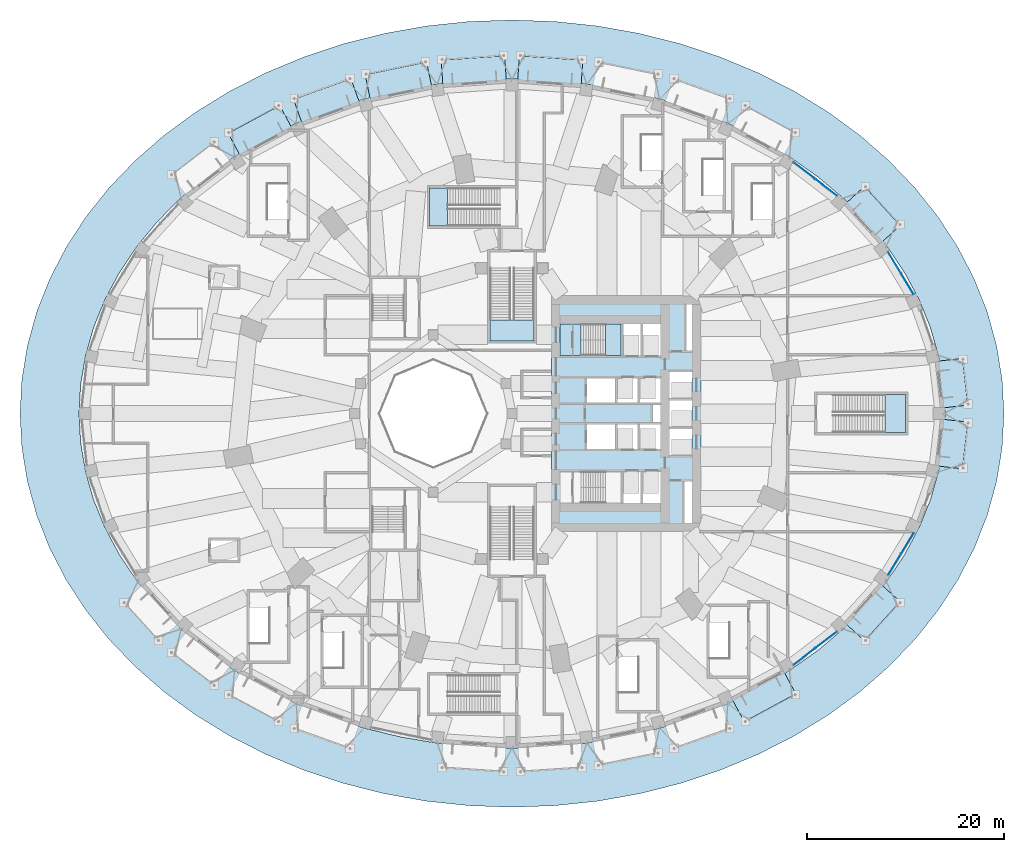
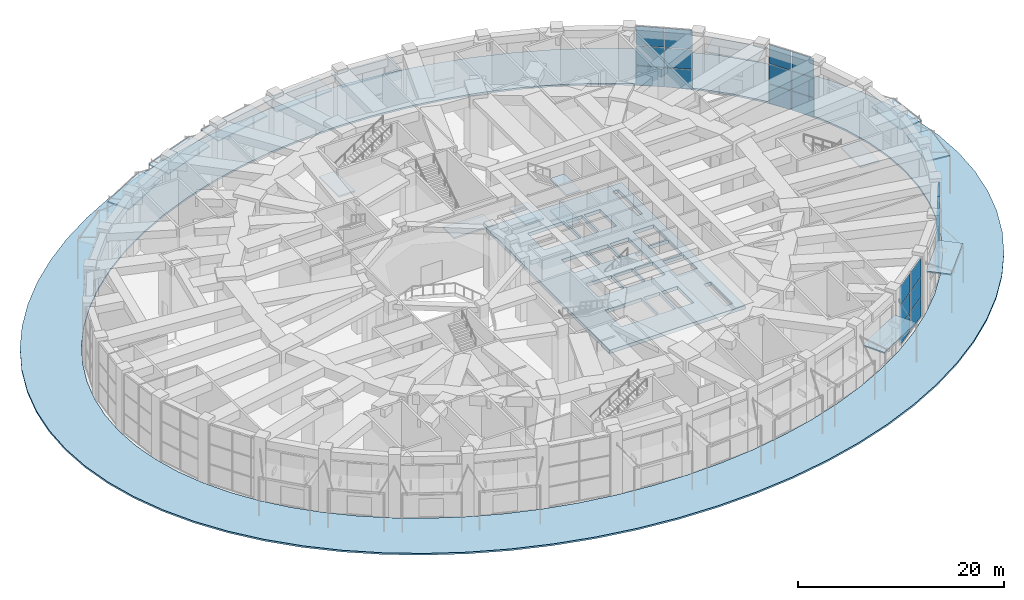
# One storey, part 32 of 60: 24 plates, 18 slabs, 8 elements without a shape of their own.
"""IFC4 building model written with IfcOpenShell, lengths in metres."""

from ifc_helpers import new_model, si_unit, direction, frame, origin, origin_2d, place, context, subcontext, project, spatial, polyline, rectangle, outline, extrude, material, layer, layer_set, constituent, constituent_set, type_object, element, aggregate, save


model = new_model("IFC4")

# Units and contexts
model_context = context("Model", 3, precision=1e-05, world=origin(), true_north=direction((0.0, 1.0)))
body_context = subcontext(model_context, "Body", "Model", "MODEL_VIEW")
ifc_project = project(units=[si_unit("LENGTHUNIT", "METRE"), si_unit("AREAUNIT", "SQUARE_METRE"), si_unit("VOLUMEUNIT", "CUBIC_METRE"), si_unit("PLANEANGLEUNIT", "RADIAN"), si_unit("MASSUNIT", "GRAM", prefix="KILO")], contexts=[model_context])

# Site, building, storey
site_placement = place(None, origin())
site = spatial("IfcSite", under=ifc_project, at=site_placement, CompositionType="ELEMENT")
building_placement = place(site_placement, origin())
building = spatial("IfcBuilding", under=site, at=building_placement, Name="Taillehof Tower", CompositionType="ELEMENT")
storey_placement = place(building_placement, origin())
storey = spatial("IfcBuildingStorey", under=building, at=storey_placement, Name="L00", CompositionType="ELEMENT", Elevation=0.0)

# Slabs
ifc_material_1 = material(Name="Concrete C40/50", Category="concrete")
ifc_layer_1 = layer(ifc_material_1, 0.409912109375)
ifc_layer_set_1 = layer_set([ifc_layer_1], Name="Core floor slab C40/50 410")
slab_type_1 = type_object("IfcSlabType", Name="Core floor slab C40/50 410", PredefinedType="FLOOR", material=ifc_layer_set_1)
slab_1_placement = place(storey_placement, frame((0.0, 0.0, -0.409912109375)))
element("IfcSlab", 1, at=slab_1_placement, inside=storey, type_object=slab_type_1, Name="Core floor L00", PredefinedType="FLOOR", context=body_context, shape_type="SweptSolid", body=[
    extrude(outline(polyline([(4.0, -12.0), (4.0, 12.0), (19.199951171875, 12.0), (19.199951171875, -12.0), (4.0, -12.0)]), holes=[polyline([(7.00048828125, -9.10009765625), (11.10009765625, -9.10009765625), (11.10009765625, -5.89990234375), (7.00048828125, -5.89990234375), (7.00048828125, -9.10009765625)]), polyline([(13.10009765625, -9.10009765625), (13.10009765625, -5.89990234375), (11.300048828125, -5.89990234375), (11.300048828125, -9.10009765625), (13.10009765625, -9.10009765625)]), polyline([(10.5, -3.60009765625), (10.5, -1.10009765625), (7.60009765625, -1.10009765625), (7.60009765625, -3.60009765625), (10.5, -3.60009765625)]), polyline([(12.800048828125, -3.60009765625), (12.800048828125, -1.10009765625), (10.699951171875, -1.10009765625), (10.699951171875, -3.60009765625), (12.800048828125, -3.60009765625)]), polyline([(10.5, 1.10009765625), (10.5, 3.60009765625), (7.60009765625, 3.60009765625), (7.60009765625, 1.10009765625), (10.5, 1.10009765625)]), polyline([(12.800048828125, 1.10009765625), (12.800048828125, 3.60009765625), (10.699951171875, 3.60009765625), (10.699951171875, 1.10009765625), (12.800048828125, 1.10009765625)]), polyline([(15.10009765625, 1.10009765625), (15.10009765625, 3.60009765625), (13.0, 3.60009765625), (13.0, 1.10009765625), (15.10009765625, 1.10009765625)]), polyline([(11.300048828125, 5.89990234375), (13.10009765625, 5.89990234375), (13.10009765625, 9.10009765625), (11.300048828125, 9.10009765625), (11.300048828125, 5.89990234375)]), polyline([(7.00048828125, 5.89990234375), (11.10009765625, 5.89990234375), (11.10009765625, 9.10009765625), (7.00048828125, 9.10009765625), (7.00048828125, 5.89990234375)]), polyline([(18.300048828125, -11.10009765625), (18.300048828125, -6.89990234375), (17.5, -6.89990234375), (17.5, -11.10009765625), (18.300048828125, -11.10009765625)]), polyline([(15.10009765625, -9.10009765625), (15.10009765625, -5.89990234375), (13.300048828125, -5.89990234375), (13.300048828125, -9.10009765625), (15.10009765625, -9.10009765625)]), polyline([(18.300048828125, -4.25), (18.300048828125, -1.550048828125), (16.0, -1.550048828125), (16.0, -4.25), (18.300048828125, -4.25)]), polyline([(15.10009765625, -3.60009765625), (15.10009765625, -1.10009765625), (13.0, -1.10009765625), (13.0, -3.60009765625), (15.10009765625, -3.60009765625)]), polyline([(15.10009765625, -0.89990234375), (15.10009765625, 0.89990234375), (14.300048828125, 0.89990234375), (14.300048828125, -0.89990234375), (15.10009765625, -0.89990234375)]), polyline([(18.300048828125, -1.35009765625), (18.300048828125, 1.35009765625), (16.0, 1.35009765625), (16.0, -1.35009765625), (18.300048828125, -1.35009765625)]), polyline([(18.300048828125, 1.550048828125), (18.300048828125, 4.25), (16.0, 4.25), (16.0, 1.550048828125), (18.300048828125, 1.550048828125)]), polyline([(13.300048828125, 5.89990234375), (15.10009765625, 5.89990234375), (15.10009765625, 9.10009765625), (13.300048828125, 9.10009765625), (13.300048828125, 5.89990234375)]), polyline([(17.699951171875, 6.39990234375), (18.300048828125, 6.39990234375), (18.300048828125, 11.10009765625), (17.699951171875, 11.10009765625), (17.699951171875, 6.39990234375)])]), origin(), (0.0, 0.0, 1.0), 0.409912109375),
])
ifc_material_2 = material(Name="Steel S460M", Category="steel")
ifc_constituent_1 = constituent(ifc_material_2, Name="Plate", Category="steel")
ifc_material_3 = material(Name="Aluminium soffit", Category="aluminium")
ifc_constituent_2 = constituent(ifc_material_3, Name="Soffit", Category="aluminium")
ifc_constituent_set_1 = constituent_set(constituents=[ifc_constituent_1, ifc_constituent_2], Name="Entrance canopy 150")
slab_type_2 = type_object("IfcSlabType", Name="Entrance canopy 150", PredefinedType="ROOF", material=ifc_constituent_set_1)
slab_2_placement = place(storey_placement, frame((0.0, 0.0, 4.449951171875)))
element("IfcSlab", 2, at=slab_2_placement, inside=storey, type_object=slab_type_2, Name="Canopy over E18", PredefinedType="ROOF", context=body_context, shape_type="SweptSolid", body=[
    extrude(outline(polyline([(43.833251953125, 0.58154296875), (43.293701171875, 5.329833984375), (45.777587890625, 5.612060546875), (46.3173828125, 0.86376953125), (43.833251953125, 0.58154296875)])), origin(), (0.0, 0.0, 1.0), 0.150146484375),
])
slab_3_placement = place(storey_placement, frame((0.0, 0.0, 4.449951171875)))
element("IfcSlab", 3, at=slab_3_placement, inside=storey, type_object=slab_type_2, Name="Canopy over E14", PredefinedType="ROOF", context=body_context, shape_type="SweptSolid", body=[
    extrude(outline(polyline([(37.59375, 17.429931640625), (33.975830078125, 21.40673828125), (35.8251953125, 23.089111328125), (39.443115234375, 19.1123046875), (37.59375, 17.429931640625)])), origin(), (0.0, 0.0, 1.0), 0.150146484375),
])
slab_4_placement = place(storey_placement, frame((0.0, 0.0, 4.449951171875)))
element("IfcSlab", 4, at=slab_4_placement, inside=storey, type_object=slab_type_2, Name="Canopy over E12", PredefinedType="ROOF", context=body_context, shape_type="SweptSolid", body=[
    extrude(outline(polyline([(7.02685546875, 33.426513671875), (0.576904296875, 33.86083984375), (0.74462890625, 36.355224609375), (7.19482421875, 35.9208984375), (7.02685546875, 33.426513671875)])), origin(), (0.0, 0.0, 1.0), 0.150146484375),
])
slab_5_placement = place(storey_placement, frame((0.0, 0.0, 4.449951171875)))
element("IfcSlab", 5, at=slab_5_placement, inside=storey, type_object=slab_type_2, Name="Canopy over E16", PredefinedType="ROOF", context=body_context, shape_type="SweptSolid", body=[
    extrude(outline(polyline([(-0.576904296875, 33.86083984375), (-7.02685546875, 33.426513671875), (-7.19482421875, 35.9208984375), (-0.74462890625, 36.355224609375), (-0.576904296875, 33.86083984375)])), origin(), (0.0, 0.0, 1.0), 0.150146484375),
])
slab_6_placement = place(storey_placement, frame((0.0, 0.0, 4.449951171875)))
element("IfcSlab", 6, at=slab_6_placement, inside=storey, type_object=slab_type_2, Name="Canopy over E17", PredefinedType="ROOF", context=body_context, shape_type="SweptSolid", body=[
    extrude(outline(polyline([(-8.170166015625, 33.27099609375), (-14.412353515625, 31.983642578125), (-14.917236328125, 34.43212890625), (-8.675048828125, 35.719482421875), (-8.170166015625, 33.27099609375)])), origin(), (0.0, 0.0, 1.0), 0.150146484375),
])
slab_7_placement = place(storey_placement, frame((0.0, 0.0, 4.449951171875)))
element("IfcSlab", 7, at=slab_7_placement, inside=storey, type_object=slab_type_2, Name="Canopy over E1", PredefinedType="ROOF", context=body_context, shape_type="SweptSolid", body=[
    extrude(outline(polyline([(-15.5234375, 31.67138671875), (-21.3583984375, 29.577392578125), (-22.202880859375, 31.930419921875), (-16.367919921875, 34.0244140625), (-15.5234375, 31.67138671875)])), origin(), (0.0, 0.0, 1.0), 0.150146484375),
])
slab_8_placement = place(storey_placement, frame((0.0, 0.0, 4.449951171875)))
element("IfcSlab", 8, at=slab_8_placement, inside=storey, type_object=slab_type_2, Name="Canopy over E20", PredefinedType="ROOF", context=body_context, shape_type="SweptSolid", body=[
    extrude(outline(polyline([(-22.413330078125, 29.10693359375), (-27.658203125, 26.2802734375), (-28.84423828125, 28.481201171875), (-23.599609375, 31.3076171875), (-22.413330078125, 29.10693359375)])), origin(), (0.0, 0.0, 1.0), 0.150146484375),
])
slab_9_placement = place(storey_placement, frame((0.0, 0.0, 4.449951171875)))
element("IfcSlab", 9, at=slab_9_placement, inside=storey, type_object=slab_type_2, Name="Canopy over E22", PredefinedType="ROOF", context=body_context, shape_type="SweptSolid", body=[
    extrude(outline(polyline([(22.413330078125, -29.10693359375), (27.658203125, -26.2802734375), (28.84423828125, -28.481201171875), (23.599609375, -31.3076171875), (22.413330078125, -29.10693359375)])), origin(), (0.0, 0.0, 1.0), 0.150146484375),
])
slab_10_placement = place(storey_placement, frame((0.0, 0.0, 4.449951171875)))
element("IfcSlab", 10, at=slab_10_placement, inside=storey, type_object=slab_type_2, Name="Canopy over E13", PredefinedType="ROOF", context=body_context, shape_type="SweptSolid", body=[
    extrude(outline(polyline([(33.975830078125, -21.40673828125), (37.59375, -17.429931640625), (39.443115234375, -19.1123046875), (35.8251953125, -23.089111328125), (33.975830078125, -21.40673828125)])), origin(), (0.0, 0.0, 1.0), 0.150146484375),
])
slab_11_placement = place(storey_placement, frame((0.0, 0.0, 4.449951171875)))
element("IfcSlab", 11, at=slab_11_placement, inside=storey, type_object=slab_type_2, Name="Canopy over E19", PredefinedType="ROOF", context=body_context, shape_type="SweptSolid", body=[
    extrude(outline(polyline([(43.293701171875, -5.329833984375), (43.833251953125, -0.58154296875), (46.3173828125, -0.86376953125), (45.777587890625, -5.612060546875), (43.293701171875, -5.329833984375)])), origin(), (0.0, 0.0, 1.0), 0.150146484375),
])
ifc_material_4 = material(Name="Concrete C40/50", Category="concrete")
ifc_constituent_3 = constituent(ifc_material_4, Name="Slab", Category="concrete")
ifc_material_5 = material(Name="Paving finish")
ifc_constituent_4 = constituent(ifc_material_5, Name="Paving finish")
ifc_constituent_set_2 = constituent_set(constituents=[ifc_constituent_3, ifc_constituent_4], Name="Paving slab 200")
slab_type_3 = type_object("IfcSlabType", Name="Paving slab 200", PredefinedType="USERDEFINED", material=ifc_constituent_set_2)
slab_12_placement = place(storey_placement, frame((0.0, 0.0, -0.199951171875)))
element("IfcSlab", 12, at=slab_12_placement, inside=storey, type_object=slab_type_3, Name="Paving round the podium", ObjectType="PAVING", PredefinedType="USERDEFINED", context=body_context, shape_type="SweptSolid", body=[
    extrude(outline(polyline([(50.0, 0.0), (49.809814453125, 3.486328125), (49.240478515625, 6.946044921875), (48.29638671875, 10.352783203125), (46.984619140625, 13.680908203125), (45.3154296875, 16.90478515625), (43.30126953125, 20.0), (40.95751953125, 22.943115234375), (38.30224609375, 25.71142578125), (35.355224609375, 28.2841796875), (32.139404296875, 30.641845703125), (28.6787109375, 32.76611328125), (25.0, 34.64111328125), (21.130859375, 36.252197265625), (17.10107421875, 37.587646484375), (12.94091796875, 38.636962890625), (8.682373046875, 39.392333984375), (4.357666015625, 39.847900390625), (0.0, 40.0), (-4.357666015625, 39.847900390625), (-8.682373046875, 39.392333984375), (-12.94091796875, 38.636962890625), (-17.10107421875, 37.587646484375), (-21.130859375, 36.252197265625), (-25.0, 34.64111328125), (-28.6787109375, 32.76611328125), (-32.139404296875, 30.641845703125), (-35.355224609375, 28.2841796875), (-38.30224609375, 25.71142578125), (-40.95751953125, 22.943115234375), (-43.30126953125, 20.0), (-45.3154296875, 16.90478515625), (-46.984619140625, 13.680908203125), (-48.29638671875, 10.352783203125), (-49.240478515625, 6.946044921875), (-49.809814453125, 3.486328125), (-50.0, 0.0), (-49.809814453125, -3.486328125), (-49.240478515625, -6.946044921875), (-48.29638671875, -10.352783203125), (-46.984619140625, -13.680908203125), (-45.3154296875, -16.90478515625), (-43.30126953125, -20.0), (-40.95751953125, -22.943115234375), (-38.30224609375, -25.71142578125), (-35.355224609375, -28.2841796875), (-32.139404296875, -30.641845703125), (-28.6787109375, -32.76611328125), (-25.0, -34.64111328125), (-21.130859375, -36.252197265625), (-17.10107421875, -37.587646484375), (-12.94091796875, -38.636962890625), (-8.682373046875, -39.392333984375), (-4.357666015625, -39.847900390625), (0.0, -40.0), (4.357666015625, -39.847900390625), (8.682373046875, -39.392333984375), (12.94091796875, -38.636962890625), (17.10107421875, -37.587646484375), (21.130859375, -36.252197265625), (25.0, -34.64111328125), (28.6787109375, -32.76611328125), (32.139404296875, -30.641845703125), (35.355224609375, -28.2841796875), (38.30224609375, -25.71142578125), (40.95751953125, -22.943115234375), (43.30126953125, -20.0), (45.3154296875, -16.90478515625), (46.984619140625, -13.680908203125), (48.29638671875, -10.352783203125), (49.240478515625, -6.946044921875), (49.809814453125, -3.486328125), (50.0, 0.0)]), holes=[polyline([(44.0, 0.0), (43.83251953125, 2.96337890625), (43.33154296875, 5.904052734375), (42.500732421875, 8.7998046875), (41.346435546875, 11.628662109375), (39.87744140625, 14.369140625), (38.105224609375, 17.0), (36.042724609375, 19.501708984375), (33.7060546875, 21.854736328125), (31.11279296875, 24.041748046875), (28.28271484375, 26.04541015625), (25.2373046875, 27.85107421875), (22.0, 29.44482421875), (18.59521484375, 30.814453125), (15.048828125, 31.949462890625), (11.387939453125, 32.841552734375), (7.640625, 33.4833984375), (3.8349609375, 33.87060546875), (0.0, 34.0), (-3.8349609375, 33.87060546875), (-7.640625, 33.4833984375), (-11.387939453125, 32.841552734375), (-15.048828125, 31.949462890625), (-18.59521484375, 30.814453125), (-22.0, 29.44482421875), (-25.2373046875, 27.85107421875), (-28.28271484375, 26.04541015625), (-31.11279296875, 24.041748046875), (-33.7060546875, 21.854736328125), (-36.042724609375, 19.501708984375), (-38.105224609375, 17.0), (-39.87744140625, 14.369140625), (-41.346435546875, 11.628662109375), (-42.500732421875, 8.7998046875), (-43.33154296875, 5.904052734375), (-43.83251953125, 2.96337890625), (-44.0, 0.0), (-43.83251953125, -2.96337890625), (-43.33154296875, -5.904052734375), (-42.500732421875, -8.7998046875), (-41.346435546875, -11.628662109375), (-39.87744140625, -14.369140625), (-38.105224609375, -17.0), (-36.042724609375, -19.501708984375), (-33.7060546875, -21.854736328125), (-31.11279296875, -24.041748046875), (-28.28271484375, -26.04541015625), (-25.2373046875, -27.85107421875), (-22.0, -29.44482421875), (-18.59521484375, -30.814453125), (-15.048828125, -31.949462890625), (-11.387939453125, -32.841552734375), (-7.640625, -33.4833984375), (-3.8349609375, -33.87060546875), (0.0, -34.0), (3.8349609375, -33.87060546875), (7.640625, -33.4833984375), (11.387939453125, -32.841552734375), (15.048828125, -31.949462890625), (18.59521484375, -30.814453125), (22.0, -29.44482421875), (25.2373046875, -27.85107421875), (28.28271484375, -26.04541015625), (31.11279296875, -24.041748046875), (33.7060546875, -21.854736328125), (36.042724609375, -19.501708984375), (38.105224609375, -17.0), (39.87744140625, -14.369140625), (41.346435546875, -11.628662109375), (42.500732421875, -8.7998046875), (43.33154296875, -5.904052734375), (43.83251953125, -2.96337890625), (44.0, 0.0)])]), origin(), (0.0, 0.0, 1.0), 0.199951171875),
])

# Stair, slab
ifc_material_6 = material(Name="Concrete C30/37", Category="concrete")
stair_type_1 = type_object("IfcStairType", Name="Escape stair 2100 mm", PredefinedType="HALF_TURN_STAIR", material=ifc_material_6)
stair_1_placement = place(storey_placement, origin())
stair_1 = element("IfcStair", 13, at=stair_1_placement, inside=storey, type_object=stair_type_1, Name="Escape stair P1", PredefinedType="HALF_TURN_STAIR")
ifc_material_7 = material(Name="Concrete C30/37", Category="concrete")
ifc_layer_2 = layer(ifc_material_7, 0.199951171875)
ifc_layer_set_2 = layer_set([ifc_layer_2], Name="Stair landing 200 mm")
slab_type_4 = type_object("IfcSlabType", Name="Stair landing 200 mm", PredefinedType="LANDING", material=ifc_layer_set_2)
slab_13_placement = place(storey_placement, frame((0.0, 0.0, 3.550048828125)))
slab_13 = element("IfcSlab", 14, at=slab_13_placement, type_object=slab_type_4, Name="P1 landing 1", PredefinedType="LANDING", context=body_context, shape_type="SweptSolid", body=[
    extrude(outline(polyline([(2.22509765625, 9.5), (-2.22509765625, 9.5), (-2.22509765625, 7.39990234375), (2.22509765625, 7.39990234375), (2.22509765625, 9.5)])), origin(), (0.0, 0.0, 1.0), 0.199951171875),
])
aggregate(stair_1, [slab_13])

ifc_material_8 = material(Name="Concrete C30/37", Category="concrete")
stair_type_2 = type_object("IfcStairType", Name="Escape stair 1800 mm", PredefinedType="HALF_TURN_STAIR", material=ifc_material_8)
stair_2_placement = place(storey_placement, origin())
stair_2 = element("IfcStair", 15, at=stair_2_placement, inside=storey, type_object=stair_type_2, Name="Escape stair P3", PredefinedType="HALF_TURN_STAIR")
slab_14_placement = place(storey_placement, frame((0.0, 0.0, 3.550048828125)))
slab_14 = element("IfcSlab", 16, at=slab_14_placement, type_object=slab_type_4, Name="P3 landing 1", PredefinedType="LANDING", context=body_context, shape_type="SweptSolid", body=[
    extrude(outline(polyline([(-6.56005859375, 19.074951171875), (-6.56005859375, 22.925048828125), (-8.360107421875, 22.925048828125), (-8.360107421875, 19.074951171875), (-6.56005859375, 19.074951171875)])), origin(), (0.0, 0.0, 1.0), 0.199951171875),
])
aggregate(stair_2, [slab_14])

stair_3_placement = place(storey_placement, origin())
stair_3 = element("IfcStair", 17, at=stair_3_placement, inside=storey, type_object=stair_type_2, Name="Escape stair P5", PredefinedType="HALF_TURN_STAIR")
slab_15_placement = place(storey_placement, frame((0.0, 0.0, 3.550048828125)))
slab_15 = element("IfcSlab", 18, at=slab_15_placement, type_object=slab_type_4, Name="P5 landing 1", PredefinedType="LANDING", context=body_context, shape_type="SweptSolid", body=[
    extrude(outline(polyline([(37.919921875, 1.925048828125), (37.919921875, -1.925048828125), (40.0, -1.925048828125), (40.0, 1.925048828125), (37.919921875, 1.925048828125)])), origin(), (0.0, 0.0, 1.0), 0.199951171875),
])
aggregate(stair_3, [slab_15])

# Stair, slabs
ifc_material_9 = material(Name="Concrete C40/50", Category="concrete")
stair_type_3 = type_object("IfcStairType", Name="Exit stair half-turn", PredefinedType="HALF_TURN_STAIR", material=ifc_material_9)
stair_4_placement = place(storey_placement, origin())
stair_4 = element("IfcStair", 19, at=stair_4_placement, inside=storey, type_object=stair_type_3, Name="Exit stair S1", PredefinedType="HALF_TURN_STAIR")
ifc_material_10 = material(Name="Concrete C40/50", Category="concrete")
ifc_layer_3 = layer(ifc_material_10, 0.2099609375)
ifc_layer_set_3 = layer_set([ifc_layer_3], Name="Stair landing C40/50 210")
slab_type_5 = type_object("IfcSlabType", Name="Stair landing C40/50 210", PredefinedType="LANDING", material=ifc_layer_set_3)
slab_16_placement = place(storey_placement, frame((0.0, 0.0, 1.6650390625)))
slab_16 = element("IfcSlab", 20, at=slab_16_placement, type_object=slab_type_5, Name="S1 landing 1", PredefinedType="LANDING", context=body_context, shape_type="SweptSolid", body=[
    extrude(outline(polyline([(9.5, 5.89990234375), (11.10009765625, 5.89990234375), (11.10009765625, 9.10009765625), (9.5, 9.10009765625), (9.5, 5.89990234375)])), origin(), (0.0, 0.0, 1.0), 0.2099609375),
])
slab_17_placement = place(storey_placement, frame((0.0, 0.0, 3.5400390625)))
slab_17 = element("IfcSlab", 21, at=slab_17_placement, type_object=slab_type_5, Name="S1 landing 2", PredefinedType="LANDING", context=body_context, shape_type="SweptSolid", body=[
    extrude(outline(polyline([(4.89990234375, 5.89990234375), (7.0, 5.89990234375), (7.0, 9.10009765625), (4.89990234375, 9.10009765625), (4.89990234375, 5.89990234375)])), origin(), (0.0, 0.0, 1.0), 0.2099609375),
])
slab_18_placement = place(storey_placement, frame((0.0, 0.0, 5.4150390625)))
slab_18 = element("IfcSlab", 22, at=slab_18_placement, type_object=slab_type_5, Name="S1 landing 3", PredefinedType="LANDING", context=body_context, shape_type="SweptSolid", body=[
    extrude(outline(polyline([(9.5, 5.89990234375), (11.10009765625, 5.89990234375), (11.10009765625, 9.10009765625), (9.5, 9.10009765625), (9.5, 5.89990234375)])), origin(), (0.0, 0.0, 1.0), 0.2099609375),
])
aggregate(stair_4, [slab_16, slab_17, slab_18])

# Curtain wall, plates
ifc_material_11 = material(Name="Aluminium curtain wall with Clear laminated safety glass", Category="aluminium")
curtain_wall_type = type_object("IfcCurtainWallType", Name="Station storefront curtain wall", PredefinedType="USERDEFINED", material=ifc_material_11)
curtain_wall_1_placement = place(storey_placement, origin())
curtain_wall_1 = element("IfcCurtainWall", 23, at=curtain_wall_1_placement, inside=storey, type_object=curtain_wall_type, Name="Station storefront L00 bay 3", ObjectType="STOREFRONT", PredefinedType="USERDEFINED")
ifc_material_12 = material(Name="Clear laminated safety glass", Category="glass")
ifc_layer_4 = layer(ifc_material_12, 0.031982421875)
ifc_layer_set_4 = layer_set([ifc_layer_4], Name="Station storefront glass panel 32")
plate_type = type_object("IfcPlateType", Name="Station storefront glass panel 32", PredefinedType="CURTAIN_PANEL", material=ifc_layer_set_4)
plate_1_placement = place(storey_placement, frame((40.175048828125, 13.192138671875, 0.080078125), z_axis=(0.0, 0.0, 1.0), x_axis=(-0.518151483931, 0.855288863309, 0.0)))
plate_1 = element("IfcPlate", 24, at=plate_1_placement, type_object=plate_type, Name="CT103 panel 1.1", PredefinedType="CURTAIN_PANEL", context=body_context, shape_type="SweptSolid", body=[
    extrude(rectangle(XDim=2.431884765625, YDim=0.031982421875, at=origin_2d()), origin(), (0.0, 0.0, 1.0), 2.243408203125),
])
plate_2_placement = place(storey_placement, frame((40.175048828125, 13.192138671875, 2.4033203125), z_axis=(0.0, 0.0, 1.0), x_axis=(-0.518151483931, 0.855288863309, 0.0)))
plate_2 = element("IfcPlate", 25, at=plate_2_placement, type_object=plate_type, Name="CT103 panel 1.2", PredefinedType="CURTAIN_PANEL", context=body_context, shape_type="SweptSolid", body=[
    extrude(rectangle(XDim=2.431884765625, YDim=0.031982421875, at=origin_2d()), origin(), (0.0, 0.0, 1.0), 2.283447265625),
])
plate_3_placement = place(storey_placement, frame((40.175048828125, 13.192138671875, 4.7666015625), z_axis=(0.0, 0.0, 1.0), x_axis=(-0.518151483931, 0.855288863309, 0.0)))
plate_3 = element("IfcPlate", 26, at=plate_3_placement, type_object=plate_type, Name="CT103 panel 1.3", PredefinedType="CURTAIN_PANEL", context=body_context, shape_type="SweptSolid", body=[
    extrude(rectangle(XDim=2.431884765625, YDim=0.031982421875, at=origin_2d()), origin(), (0.0, 0.0, 1.0), 2.243408203125),
])
plate_4_placement = place(storey_placement, frame((38.87353515625, 15.340576171875, 0.080078125), z_axis=(0.0, 0.0, 1.0), x_axis=(-0.518151483931, 0.855288863309, 0.0)))
plate_4 = element("IfcPlate", 27, at=plate_4_placement, type_object=plate_type, Name="CT103 panel 2.1", PredefinedType="CURTAIN_PANEL", context=body_context, shape_type="SweptSolid", body=[
    extrude(rectangle(XDim=2.431884765625, YDim=0.031982421875, at=origin_2d()), origin(), (0.0, 0.0, 1.0), 2.243408203125),
])
plate_5_placement = place(storey_placement, frame((38.87353515625, 15.340576171875, 2.4033203125), z_axis=(0.0, 0.0, 1.0), x_axis=(-0.518151483931, 0.855288863309, 0.0)))
plate_5 = element("IfcPlate", 28, at=plate_5_placement, type_object=plate_type, Name="CT103 panel 2.2", PredefinedType="CURTAIN_PANEL", context=body_context, shape_type="SweptSolid", body=[
    extrude(rectangle(XDim=2.431884765625, YDim=0.031982421875, at=origin_2d()), origin(), (0.0, 0.0, 1.0), 2.283447265625),
])
plate_6_placement = place(storey_placement, frame((38.87353515625, 15.340576171875, 4.7666015625), z_axis=(0.0, 0.0, 1.0), x_axis=(-0.518151483931, 0.855288863309, 0.0)))
plate_6 = element("IfcPlate", 29, at=plate_6_placement, type_object=plate_type, Name="CT103 panel 2.3", PredefinedType="CURTAIN_PANEL", context=body_context, shape_type="SweptSolid", body=[
    extrude(rectangle(XDim=2.431884765625, YDim=0.031982421875, at=origin_2d()), origin(), (0.0, 0.0, 1.0), 2.243408203125),
])
aggregate(curtain_wall_1, [plate_1, plate_2, plate_3, plate_4, plate_5, plate_6])

curtain_wall_2_placement = place(storey_placement, origin())
curtain_wall_2 = element("IfcCurtainWall", 30, at=curtain_wall_2_placement, inside=storey, type_object=curtain_wall_type, Name="Station storefront L00 bay 5", ObjectType="STOREFRONT", PredefinedType="USERDEFINED")
plate_7_placement = place(storey_placement, frame((31.92333984375, 22.989013671875, 0.080078125), z_axis=(0.0, 0.0, 1.0), x_axis=(-0.792453709228, 0.60993206075, 0.0)))
plate_7 = element("IfcPlate", 31, at=plate_7_placement, type_object=plate_type, Name="CT105 panel 1.1", PredefinedType="CURTAIN_PANEL", context=body_context, shape_type="SweptSolid", body=[
    extrude(rectangle(XDim=2.716552734375, YDim=0.031982421875, at=origin_2d()), origin(), (0.0, 0.0, 1.0), 2.243408203125),
])
plate_8_placement = place(storey_placement, frame((31.92333984375, 22.989013671875, 2.4033203125), z_axis=(0.0, 0.0, 1.0), x_axis=(-0.792453709228, 0.60993206075, 0.0)))
plate_8 = element("IfcPlate", 32, at=plate_8_placement, type_object=plate_type, Name="CT105 panel 1.2", PredefinedType="CURTAIN_PANEL", context=body_context, shape_type="SweptSolid", body=[
    extrude(rectangle(XDim=2.716552734375, YDim=0.031982421875, at=origin_2d()), origin(), (0.0, 0.0, 1.0), 2.283447265625),
])
plate_9_placement = place(storey_placement, frame((31.92333984375, 22.989013671875, 4.7666015625), z_axis=(0.0, 0.0, 1.0), x_axis=(-0.792453709228, 0.60993206075, 0.0)))
plate_9 = element("IfcPlate", 33, at=plate_9_placement, type_object=plate_type, Name="CT105 panel 1.3", PredefinedType="CURTAIN_PANEL", context=body_context, shape_type="SweptSolid", body=[
    extrude(rectangle(XDim=2.716552734375, YDim=0.031982421875, at=origin_2d()), origin(), (0.0, 0.0, 1.0), 2.243408203125),
])
plate_10_placement = place(storey_placement, frame((29.707275390625, 24.69482421875, 0.080078125), z_axis=(0.0, 0.0, 1.0), x_axis=(-0.792453709228, 0.60993206075, 0.0)))
plate_10 = element("IfcPlate", 34, at=plate_10_placement, type_object=plate_type, Name="CT105 panel 2.1", PredefinedType="CURTAIN_PANEL", context=body_context, shape_type="SweptSolid", body=[
    extrude(rectangle(XDim=2.716552734375, YDim=0.031982421875, at=origin_2d()), origin(), (0.0, 0.0, 1.0), 2.243408203125),
])
plate_11_placement = place(storey_placement, frame((29.707275390625, 24.69482421875, 2.4033203125), z_axis=(0.0, 0.0, 1.0), x_axis=(-0.792453709228, 0.60993206075, 0.0)))
plate_11 = element("IfcPlate", 35, at=plate_11_placement, type_object=plate_type, Name="CT105 panel 2.2", PredefinedType="CURTAIN_PANEL", context=body_context, shape_type="SweptSolid", body=[
    extrude(rectangle(XDim=2.716552734375, YDim=0.031982421875, at=origin_2d()), origin(), (0.0, 0.0, 1.0), 2.283447265625),
])
plate_12_placement = place(storey_placement, frame((29.707275390625, 24.69482421875, 4.7666015625), z_axis=(0.0, 0.0, 1.0), x_axis=(-0.792453709228, 0.60993206075, 0.0)))
plate_12 = element("IfcPlate", 36, at=plate_12_placement, type_object=plate_type, Name="CT105 panel 2.3", PredefinedType="CURTAIN_PANEL", context=body_context, shape_type="SweptSolid", body=[
    extrude(rectangle(XDim=2.716552734375, YDim=0.031982421875, at=origin_2d()), origin(), (0.0, 0.0, 1.0), 2.243408203125),
])
aggregate(curtain_wall_2, [plate_7, plate_8, plate_9, plate_10, plate_11, plate_12])

curtain_wall_3_placement = place(storey_placement, origin())
curtain_wall_3 = element("IfcCurtainWall", 37, at=curtain_wall_3_placement, inside=storey, type_object=curtain_wall_type, Name="Station storefront L00 bay 32", ObjectType="STOREFRONT", PredefinedType="USERDEFINED")
plate_13_placement = place(storey_placement, frame((29.707275390625, -24.69482421875, 0.080078125), z_axis=(0.0, 0.0, 1.0), x_axis=(0.792453709228, 0.60993206075, 0.0)))
plate_13 = element("IfcPlate", 38, at=plate_13_placement, type_object=plate_type, Name="CT132 panel 1.1", PredefinedType="CURTAIN_PANEL", context=body_context, shape_type="SweptSolid", body=[
    extrude(rectangle(XDim=2.716552734375, YDim=0.031982421875, at=origin_2d()), origin(), (0.0, 0.0, 1.0), 2.243408203125),
])
plate_14_placement = place(storey_placement, frame((29.707275390625, -24.69482421875, 2.4033203125), z_axis=(0.0, 0.0, 1.0), x_axis=(0.792453709228, 0.60993206075, 0.0)))
plate_14 = element("IfcPlate", 39, at=plate_14_placement, type_object=plate_type, Name="CT132 panel 1.2", PredefinedType="CURTAIN_PANEL", context=body_context, shape_type="SweptSolid", body=[
    extrude(rectangle(XDim=2.716552734375, YDim=0.031982421875, at=origin_2d()), origin(), (0.0, 0.0, 1.0), 2.283447265625),
])
plate_15_placement = place(storey_placement, frame((29.707275390625, -24.69482421875, 4.7666015625), z_axis=(0.0, 0.0, 1.0), x_axis=(0.792453709228, 0.60993206075, 0.0)))
plate_15 = element("IfcPlate", 40, at=plate_15_placement, type_object=plate_type, Name="CT132 panel 1.3", PredefinedType="CURTAIN_PANEL", context=body_context, shape_type="SweptSolid", body=[
    extrude(rectangle(XDim=2.716552734375, YDim=0.031982421875, at=origin_2d()), origin(), (0.0, 0.0, 1.0), 2.243408203125),
])
plate_16_placement = place(storey_placement, frame((31.92333984375, -22.989013671875, 0.080078125), z_axis=(0.0, 0.0, 1.0), x_axis=(0.792453709228, 0.60993206075, 0.0)))
plate_16 = element("IfcPlate", 41, at=plate_16_placement, type_object=plate_type, Name="CT132 panel 2.1", PredefinedType="CURTAIN_PANEL", context=body_context, shape_type="SweptSolid", body=[
    extrude(rectangle(XDim=2.716552734375, YDim=0.031982421875, at=origin_2d()), origin(), (0.0, 0.0, 1.0), 2.243408203125),
])
plate_17_placement = place(storey_placement, frame((31.92333984375, -22.989013671875, 2.4033203125), z_axis=(0.0, 0.0, 1.0), x_axis=(0.792453709228, 0.60993206075, 0.0)))
plate_17 = element("IfcPlate", 42, at=plate_17_placement, type_object=plate_type, Name="CT132 panel 2.2", PredefinedType="CURTAIN_PANEL", context=body_context, shape_type="SweptSolid", body=[
    extrude(rectangle(XDim=2.716552734375, YDim=0.031982421875, at=origin_2d()), origin(), (0.0, 0.0, 1.0), 2.283447265625),
])
plate_18_placement = place(storey_placement, frame((31.92333984375, -22.989013671875, 4.7666015625), z_axis=(0.0, 0.0, 1.0), x_axis=(0.792453709228, 0.60993206075, 0.0)))
plate_18 = element("IfcPlate", 43, at=plate_18_placement, type_object=plate_type, Name="CT132 panel 2.3", PredefinedType="CURTAIN_PANEL", context=body_context, shape_type="SweptSolid", body=[
    extrude(rectangle(XDim=2.716552734375, YDim=0.031982421875, at=origin_2d()), origin(), (0.0, 0.0, 1.0), 2.243408203125),
])
aggregate(curtain_wall_3, [plate_13, plate_14, plate_15, plate_16, plate_17, plate_18])

curtain_wall_4_placement = place(storey_placement, origin())
curtain_wall_4 = element("IfcCurtainWall", 44, at=curtain_wall_4_placement, inside=storey, type_object=curtain_wall_type, Name="Station storefront L00 bay 34", ObjectType="STOREFRONT", PredefinedType="USERDEFINED")
plate_19_placement = place(storey_placement, frame((38.87353515625, -15.340576171875, 0.080078125), z_axis=(0.0, 0.0, 1.0), x_axis=(0.518151483931, 0.855288863309, 0.0)))
plate_19 = element("IfcPlate", 45, at=plate_19_placement, type_object=plate_type, Name="CT134 panel 1.1", PredefinedType="CURTAIN_PANEL", context=body_context, shape_type="SweptSolid", body=[
    extrude(rectangle(XDim=2.431884765625, YDim=0.031982421875, at=origin_2d()), origin(), (0.0, 0.0, 1.0), 2.243408203125),
])
plate_20_placement = place(storey_placement, frame((38.87353515625, -15.340576171875, 2.4033203125), z_axis=(0.0, 0.0, 1.0), x_axis=(0.518151483931, 0.855288863309, 0.0)))
plate_20 = element("IfcPlate", 46, at=plate_20_placement, type_object=plate_type, Name="CT134 panel 1.2", PredefinedType="CURTAIN_PANEL", context=body_context, shape_type="SweptSolid", body=[
    extrude(rectangle(XDim=2.431884765625, YDim=0.031982421875, at=origin_2d()), origin(), (0.0, 0.0, 1.0), 2.283447265625),
])
plate_21_placement = place(storey_placement, frame((38.87353515625, -15.340576171875, 4.7666015625), z_axis=(0.0, 0.0, 1.0), x_axis=(0.518151483931, 0.855288863309, 0.0)))
plate_21 = element("IfcPlate", 47, at=plate_21_placement, type_object=plate_type, Name="CT134 panel 1.3", PredefinedType="CURTAIN_PANEL", context=body_context, shape_type="SweptSolid", body=[
    extrude(rectangle(XDim=2.431884765625, YDim=0.031982421875, at=origin_2d()), origin(), (0.0, 0.0, 1.0), 2.243408203125),
])
plate_22_placement = place(storey_placement, frame((40.175048828125, -13.192138671875, 0.080078125), z_axis=(0.0, 0.0, 1.0), x_axis=(0.518151483931, 0.855288863309, 0.0)))
plate_22 = element("IfcPlate", 48, at=plate_22_placement, type_object=plate_type, Name="CT134 panel 2.1", PredefinedType="CURTAIN_PANEL", context=body_context, shape_type="SweptSolid", body=[
    extrude(rectangle(XDim=2.431884765625, YDim=0.031982421875, at=origin_2d()), origin(), (0.0, 0.0, 1.0), 2.243408203125),
])
plate_23_placement = place(storey_placement, frame((40.175048828125, -13.192138671875, 2.4033203125), z_axis=(0.0, 0.0, 1.0), x_axis=(0.518151483931, 0.855288863309, 0.0)))
plate_23 = element("IfcPlate", 49, at=plate_23_placement, type_object=plate_type, Name="CT134 panel 2.2", PredefinedType="CURTAIN_PANEL", context=body_context, shape_type="SweptSolid", body=[
    extrude(rectangle(XDim=2.431884765625, YDim=0.031982421875, at=origin_2d()), origin(), (0.0, 0.0, 1.0), 2.283447265625),
])
plate_24_placement = place(storey_placement, frame((40.175048828125, -13.192138671875, 4.7666015625), z_axis=(0.0, 0.0, 1.0), x_axis=(0.518151483931, 0.855288863309, 0.0)))
plate_24 = element("IfcPlate", 50, at=plate_24_placement, type_object=plate_type, Name="CT134 panel 2.3", PredefinedType="CURTAIN_PANEL", context=body_context, shape_type="SweptSolid", body=[
    extrude(rectangle(XDim=2.431884765625, YDim=0.031982421875, at=origin_2d()), origin(), (0.0, 0.0, 1.0), 2.243408203125),
])
aggregate(curtain_wall_4, [plate_19, plate_20, plate_21, plate_22, plate_23, plate_24])

save(model, "model.ifc")
